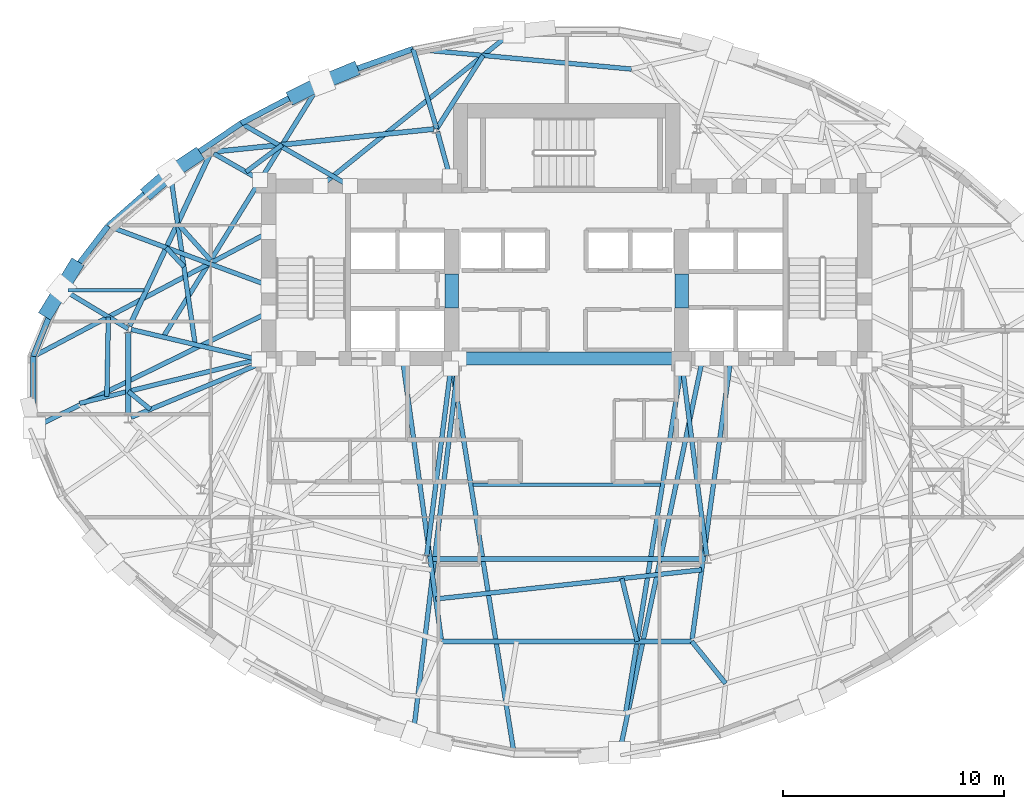
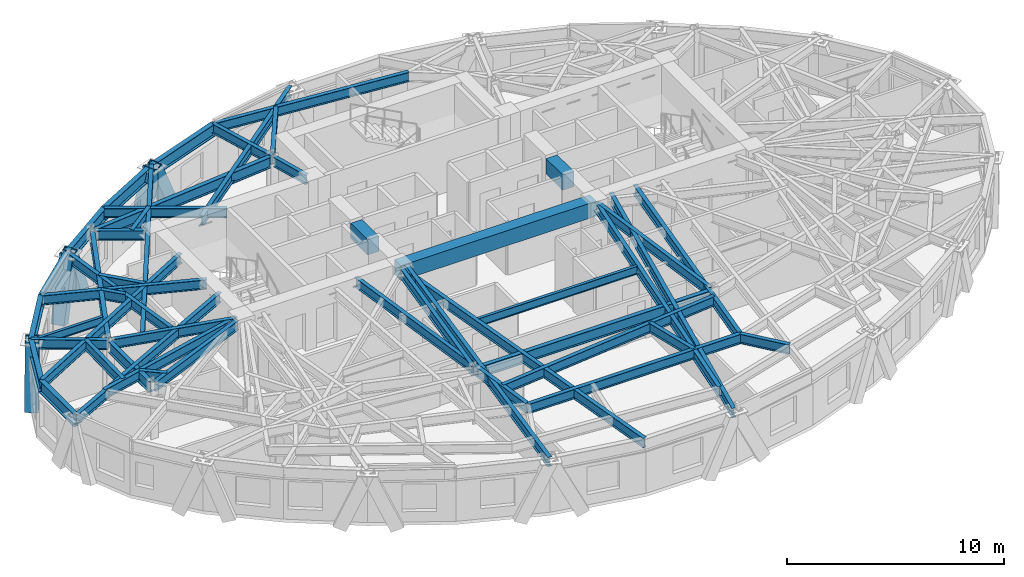
# One storey, part 2 of 14: 49 beams, 6 members.
"""IFC4 building model written with IfcOpenShell, lengths in metres."""

import ifcopenshell
import ifcopenshell.guid

model = None  # the IFC model being written
_history = None  # IfcOwnerHistory: only IFC2X3 demands one
_inside = {}  # id of a spatial element -> (the spatial element, [elements in it])
_under = {}  # id of a project, library or spatial element -> (it, [spatial elements below it])
_declared = {}  # id of a project -> (the project, [libraries it declares])
_typed = {}  # id of a type object -> (the type object, [elements of that type])
_made_of = {}  # id of a material, layer set ... -> (it, [elements and type objects made of it])


def new_model(schema):
    """Start an empty IFC model of exactly this schema.

    Asked for "IFC4X3", IfcOpenShell would pick the latest addendum, in which some entities
    have other attributes; the version numbers below select the first issue.
    IFC2X3 requires an IfcOwnerHistory on every rooted entity: one is made here for all.
    """
    global model, _history
    if schema == "IFC4X3":
        model = ifcopenshell.file(schema_version=(4, 3, 0, 0))
    else:
        model = ifcopenshell.file(schema=schema)
    _inside.clear()
    _under.clear()
    _declared.clear()
    _typed.clear()
    _made_of.clear()
    _history = None
    if model.schema == "IFC2X3":
        org = make("IfcOrganization", Name="unknown")
        user = make(
            "IfcPersonAndOrganization",
            ThePerson=make("IfcPerson", FamilyName="unknown"),
            TheOrganization=org,
        )
        app = make(
            "IfcApplication",
            ApplicationDeveloper=org,
            Version="unknown",
            ApplicationFullName="unknown",
            ApplicationIdentifier="unknown",
        )
        _history = make(
            "IfcOwnerHistory",
            OwningUser=user,
            OwningApplication=app,
            ChangeAction="ADDED",
            CreationDate=0,
        )
    return model


def make(cls, **values):
    """One entity of the class cls with the attributes given. An attribute that is None is left unset."""
    return model.create_entity(
        cls, **{name: value for name, value in values.items() if value is not None}
    )


def rooted(cls, **values):
    """An entity with a GlobalId (a new one), such as an element, a storey or a relation."""
    return make(cls, GlobalId=ifcopenshell.guid.new(), OwnerHistory=_history, **values)


def si_unit(unit_type, name, prefix=None):
    """IfcSIUnit, for example si_unit("LENGTHUNIT", "METRE", prefix="MILLI")."""
    return make("IfcSIUnit", UnitType=unit_type, Prefix=prefix, Name=name)


def assignment(units):
    """IfcUnitAssignment: the units of a project."""
    return None if units is None else make("IfcUnitAssignment", Units=units)


def point(xyz):
    """IfcCartesianPoint."""
    return None if xyz is None else make("IfcCartesianPoint", Coordinates=xyz)


def direction(xyz):
    """IfcDirection."""
    return None if xyz is None else make("IfcDirection", DirectionRatios=xyz)


def frame(location, z_axis=None, x_axis=None):
    """IfcAxis2Placement3D, a coordinate frame: its origin and axes. An axis left out is left unset."""
    return make(
        "IfcAxis2Placement3D",
        Location=point(location),
        Axis=direction(z_axis),
        RefDirection=direction(x_axis),
    )


def frame_2d(location, x_axis=None):
    """IfcAxis2Placement2D, a coordinate frame in the plane: its origin and x axis."""
    return make(
        "IfcAxis2Placement2D", Location=point(location), RefDirection=direction(x_axis)
    )


def origin():
    """The frame at (0, 0, 0) with its axes left unset."""
    return frame((0.0, 0.0, 0.0))


def origin_2d():
    """The frame at (0, 0) in the plane with its x axis left unset."""
    return frame_2d((0.0, 0.0))


def place(relative_to, where):
    """IfcLocalPlacement: puts the frame where relative to a parent placement (None: the world)."""
    return make(
        "IfcLocalPlacement", PlacementRelTo=relative_to, RelativePlacement=where
    )


def context(
    kind, dimensions, precision=None, world=None, true_north=None, identifier=None
):
    """IfcGeometricRepresentationContext, for example the 3D "Model" context."""
    return make(
        "IfcGeometricRepresentationContext",
        ContextIdentifier=identifier,
        ContextType=kind,
        CoordinateSpaceDimension=dimensions,
        Precision=precision,
        WorldCoordinateSystem=world,
        TrueNorth=true_north,
    )


def subcontext(parent, identifier, kind, view, scale=None):
    """IfcGeometricRepresentationSubContext, for example "Body" below "Model"."""
    return make(
        "IfcGeometricRepresentationSubContext",
        ContextIdentifier=identifier,
        ContextType=kind,
        ParentContext=parent,
        TargetScale=scale,
        TargetView=view,
    )


def project(units=None, contexts=None):
    """IfcProject with its units and contexts."""
    return rooted(
        "IfcProject",
        Name="project",
        RepresentationContexts=contexts,
        UnitsInContext=assignment(units),
    )


def spatial(cls, under=None, at=None, **own):
    """A site, building, storey or space (cls), placed at a placement, below another one or the project."""
    s = rooted(cls, ObjectPlacement=at, **own)
    if under is not None:
        _under.setdefault(under.id(), (under, []))[1].append(s)
    return s


def profile(cls, at=None, kind="AREA", **sizes):
    """A parametric profile (cls). Its sizes go by their IFC names, for example OverallWidth=200.0."""
    return make(cls, ProfileType=kind, Position=at, **sizes)


def rectangle(**sizes):
    """IfcRectangleProfileDef."""
    return profile("IfcRectangleProfileDef", **sizes)


def hollow_rectangle(**sizes):
    """IfcRectangleHollowProfileDef."""
    return profile("IfcRectangleHollowProfileDef", **sizes)


def i_section(**sizes):
    """IfcIShapeProfileDef."""
    return profile("IfcIShapeProfileDef", **sizes)


def extrude(swept, where, along, depth):
    """IfcExtrudedAreaSolid: the profile swept, set in the frame where, extruded along a direction by depth."""
    return make(
        "IfcExtrudedAreaSolid",
        SweptArea=swept,
        Position=where,
        ExtrudedDirection=direction(along),
        Depth=depth,
    )


def shape(context_of_items, identifier, shape_type, items):
    """IfcShapeRepresentation: the items that make up one representation, for example the "Body"."""
    return make(
        "IfcShapeRepresentation",
        ContextOfItems=context_of_items,
        RepresentationIdentifier=identifier,
        RepresentationType=shape_type,
        Items=items,
    )


def material(Name=None, Category=None):
    """IfcMaterial."""
    return make("IfcMaterial", Name=Name, Category=Category)


def material_profile(
    of_material, cross_section, Name=None, Category=None, Priority=None
):
    """IfcMaterialProfile: a cross section and its material."""
    return make(
        "IfcMaterialProfile",
        Name=Name,
        Material=of_material,
        Profile=cross_section,
        Priority=Priority,
        Category=Category,
    )


def profile_set(profiles, Name=None, composite=None):
    """IfcMaterialProfileSet."""
    return make(
        "IfcMaterialProfileSet",
        Name=Name,
        MaterialProfiles=profiles,
        CompositeProfile=composite,
    )


def made_of(thing, what):
    """Note that an element or type object is made of a material, layer set ...; save() writes the relation."""
    if what is not None:
        _made_of.setdefault(what.id(), (what, []))[1].append(thing)
    return thing


def type_object(cls, material=None, **own):
    """A type object (cls), such as IfcWallType, which elements share."""
    return made_of(rooted(cls, **own), material)


def element(
    cls,
    number,
    at=None,
    inside=None,
    cuts=None,
    type_object=None,
    material=None,
    context=None,
    identifier="Body",
    shape_type=None,
    held_by="IfcProductDefinitionShape",
    body=None,
    shapes=None,
    **own,
):
    """One element of the class cls, such as IfcWall. Its Tag is "e" and its number.

    at: its placement. inside: the storey or other place that contains it. cuts: it is an
    opening in that element (IfcRelVoidsElement). A single representation is given by context,
    identifier, shape_type and body (its items); several are given by shapes. held_by: the class
    of the entity that holds the representations. save() writes the other relations.
    """
    e = rooted(cls, Tag="e%d" % number, ObjectPlacement=at, **own)
    if body is not None:
        shapes = [shape(context, identifier, shape_type, body)]
    if shapes is not None:
        e.Representation = make(held_by, Representations=shapes)
    if inside is not None:
        _inside.setdefault(inside.id(), (inside, []))[1].append(e)
    if cuts is not None:
        rooted(
            "IfcRelVoidsElement", RelatingBuildingElement=cuts, RelatedOpeningElement=e
        )
    if type_object is not None:
        _typed.setdefault(type_object.id(), (type_object, []))[1].append(e)
    return made_of(e, material)


def aggregate(whole, parts):
    """IfcRelAggregates: a whole, such as a stair, and the parts it consists of."""
    return rooted("IfcRelAggregates", RelatingObject=whole, RelatedObjects=parts)


def save(model, path):
    """Write the relations noted so far, then the file.

    IfcRelAggregates (storeys below a building ...), IfcRelContainedInSpatialStructure (elements
    in a storey), IfcRelDefinesByType, IfcRelAssociatesMaterial and IfcRelDeclares: one each for
    every whole, place, type object, material and project.
    """
    for whole, parts in _under.values():
        aggregate(whole, parts)
    for where, things in _inside.values():
        rooted(
            "IfcRelContainedInSpatialStructure",
            RelatedElements=things,
            RelatingStructure=where,
        )
    for kind, things in _typed.values():
        rooted("IfcRelDefinesByType", RelatedObjects=things, RelatingType=kind)
    for what, things in _made_of.values():
        rooted("IfcRelAssociatesMaterial", RelatedObjects=things, RelatingMaterial=what)
    for by, libraries in _declared.values():
        rooted("IfcRelDeclares", RelatingContext=by, RelatedDefinitions=libraries)
    model.write(path)


model = new_model("IFC4")

# Units and contexts
model_context = context("Model", 3, precision=1e-05, world=origin(), true_north=direction((0.0, 1.0)))
body_context = subcontext(model_context, "Body", "Model", "MODEL_VIEW")
ifc_project = project(units=[si_unit("LENGTHUNIT", "METRE"), si_unit("AREAUNIT", "SQUARE_METRE"), si_unit("VOLUMEUNIT", "CUBIC_METRE"), si_unit("PLANEANGLEUNIT", "RADIAN"), si_unit("MASSUNIT", "GRAM", prefix="KILO")], contexts=[model_context])

# Site, building, storey
site_placement = place(None, origin())
site = spatial("IfcSite", under=ifc_project, at=site_placement, CompositionType="ELEMENT")
building_placement = place(site_placement, origin())
building = spatial("IfcBuilding", under=site, at=building_placement, Name="Keldmark Tower", CompositionType="ELEMENT")
storey_placement = place(building_placement, frame((0.0, 0.0, 191.800048828125)))
storey = spatial("IfcBuildingStorey", under=building, at=storey_placement, Name="L53", CompositionType="ELEMENT", Elevation=191.800048828125)

# Beams
ifc_material_1 = material(Name="Steel ASTM A992 Grade 50", Category="steel")
ifc_material_profile_1 = material_profile(ifc_material_1, i_section(OverallWidth=0.153076171875, OverallDepth=0.455078125, WebThickness=0.008056640625, FlangeThickness=0.01318359375, at=origin_2d()), Name="W18X40")
ifc_profile_set_1 = profile_set([ifc_material_profile_1], Name="Steel ASTM A992 Grade 50")
beam_type_1 = type_object("IfcBeamType", Name="Composite Floor Joist W18X40", PredefinedType="JOIST", material=ifc_profile_set_1)
beam_1_placement = place(storey_placement, frame((-4.237548828125, -4.179931640625, 2.79248046875), z_axis=(1.0, 0.0, 0.0), x_axis=(0.0, 1.0, 0.0)))
element("IfcBeam", 1, at=beam_1_placement, inside=storey, type_object=beam_type_1, Name="L53 Composite Floor Joist J02", PredefinedType="JOIST", context=body_context, shape_type="SweptSolid", body=[
    extrude(i_section(OverallWidth=0.153076171875, OverallDepth=0.455078125, WebThickness=0.008056640625, FlangeThickness=0.01318359375, at=origin_2d()), origin(), (0.0, 0.0, 1.0), 8.47216796875),
])
beam_2_placement = place(storey_placement, frame((-22.55712890625, 4.6201171875, 2.79248046875), z_axis=(1.0, 0.0, 0.0), x_axis=(0.0, 1.0, 0.0)))
element("IfcBeam", 2, at=beam_2_placement, inside=storey, type_object=beam_type_1, Name="L53 Composite Floor Joist J04", PredefinedType="JOIST", context=body_context, shape_type="SweptSolid", body=[
    extrude(i_section(OverallWidth=0.153076171875, OverallDepth=0.455078125, WebThickness=0.008056640625, FlangeThickness=0.01318359375, at=origin_2d()), origin(), (0.0, 0.0, 1.0), 3.4326171875),
])
ifc_material_2 = material(Name="Concrete C50/60", Category="concrete")
ifc_material_profile_2 = material_profile(ifc_material_2, rectangle(XDim=0.60009765625, YDim=0.85009765625, at=origin_2d()), Name="RCB600X850")
ifc_profile_set_2 = profile_set([ifc_material_profile_2], Name="Concrete C50/60")
beam_type_2 = type_object("IfcBeamType", Name="Core Coupling Beam RCB600X850", PredefinedType="USERDEFINED", material=ifc_profile_set_2)
for number, where, z_axis, x_axis, name in (
    (3, (-5.199951171875, 3.800048828125, 2.594970703125), (0.0, 1.0, 0.0), (-1.0, 0.0, 0.0), "L53 West Core Coupling Beam"),
    (4, (5.199951171875, 3.800048828125, 2.594970703125), (0.0, 1.0, 0.0), (-1.0, 0.0, 0.0), "L53 East Core Coupling Beam"),
):
    element("IfcBeam", number, at=place(storey_placement, frame(where, z_axis=z_axis, x_axis=x_axis)), inside=storey, type_object=beam_type_2, Name=name, ObjectType="COUPLING BEAM", PredefinedType="USERDEFINED", context=body_context, shape_type="SweptSolid", body=[
        extrude(rectangle(XDim=0.60009765625, YDim=0.85009765625, at=origin_2d()), origin(), (0.0, 0.0, 1.0), 1.550048828125),
    ])
beam_3_placement = place(storey_placement, frame((-5.199951171875, 1.52490234375, 2.594970703125), z_axis=(1.0, 0.0, 0.0), x_axis=(0.0, 1.0, 0.0)))
element("IfcBeam", 5, at=beam_3_placement, inside=storey, type_object=beam_type_2, Name="L53 Central South Core Coupling Beam", ObjectType="COUPLING BEAM", PredefinedType="USERDEFINED", context=body_context, shape_type="SweptSolid", body=[
    extrude(rectangle(XDim=0.60009765625, YDim=0.85009765625, at=origin_2d()), origin(), (0.0, 0.0, 1.0), 10.39990234375),
])

# Members
ifc_material_3 = material(Name="Steel ASTM A572 Grade 50", Category="steel")
ifc_material_profile_3 = material_profile(ifc_material_3, hollow_rectangle(XDim=0.64990234375, YDim=0.64990234375, WallThickness=0.0400390625, at=origin_2d()), Name="BOX650X650X40")
ifc_profile_set_3 = profile_set([ifc_material_profile_3], Name="Steel ASTM A572 Grade 50")
member_type = type_object("IfcMemberType", Name="Diagrid Zone 3 Brace BOX650X650X40", PredefinedType="BRACE", material=ifc_profile_set_3)
member_1_placement = place(storey_placement, frame((-9.72802734375, 14.557861328125, -0.260009765625), z_axis=(-0.385887663183, -0.15889078999, 0.908759829801), x_axis=(0.380741343147, -0.924681582827, 0.0)))
element("IfcMember", 6, at=member_1_placement, inside=storey, type_object=member_type, Name="L53 Perimeter Diagrid Brace 05B", PredefinedType="BRACE", context=body_context, shape_type="SweptSolid", body=[
    extrude(hollow_rectangle(XDim=0.64990234375, YDim=0.64990234375, WallThickness=0.0400390625, at=origin_2d()), origin(), (0.0, 0.0, 1.0), 3.47705078125),
])
member_2_placement = place(storey_placement, frame((-12.286865234375, 13.39892578125, -0.260009765625), z_axis=(0.356427318982, 0.177398603979, 0.91732725981), x_axis=(-0.445575094746, 0.895244567111, 0.0)))
element("IfcMember", 7, at=member_2_placement, inside=storey, type_object=member_type, Name="L53 Perimeter Diagrid Brace 06A", PredefinedType="BRACE", context=body_context, shape_type="SweptSolid", body=[
    extrude(hollow_rectangle(XDim=0.64990234375, YDim=0.64990234375, WallThickness=0.0400390625, at=origin_2d()), origin(), (0.0, 0.0, 1.0), 3.444580078125),
])
member_3_placement = place(storey_placement, frame((-16.81103515625, 10.650390625, -0.260009765625), z_axis=(-0.317686186172, -0.210100083996, 0.924626109203), x_axis=(0.5516232624, -0.834093385886, 0.0)))
element("IfcMember", 8, at=member_3_placement, inside=storey, type_object=member_type, Name="L53 Perimeter Diagrid Brace 06B", PredefinedType="BRACE", context=body_context, shape_type="SweptSolid", body=[
    extrude(hollow_rectangle(XDim=0.64990234375, YDim=0.64990234375, WallThickness=0.0400390625, at=origin_2d()), origin(), (0.0, 0.0, 1.0), 3.41748046875),
])
member_4_placement = place(storey_placement, frame((-18.834716796875, 9.12158203125, -0.260009765625), z_axis=(0.278423669972, 0.240998816501, 0.929731052748), x_axis=(-0.654462540029, 0.756094427766, 0.0)))
element("IfcMember", 9, at=member_4_placement, inside=storey, type_object=member_type, Name="L53 Perimeter Diagrid Brace 07A", PredefinedType="BRACE", context=body_context, shape_type="SweptSolid", body=[
    extrude(hollow_rectangle(XDim=0.64990234375, YDim=0.64990234375, WallThickness=0.0400390625, at=origin_2d()), origin(), (0.0, 0.0, 1.0), 3.398681640625),
])
member_5_placement = place(storey_placement, frame((-22.260009765625, 5.647216796875, -0.260009765625), z_axis=(-0.173956602908, -0.288108802809, 0.941664705747), x_axis=(0.856059030945, -0.516878066412, 0.0)))
element("IfcMember", 10, at=member_5_placement, inside=storey, type_object=member_type, Name="L53 Perimeter Diagrid Brace 07B", PredefinedType="BRACE", context=body_context, shape_type="SweptSolid", body=[
    extrude(hollow_rectangle(XDim=0.64990234375, YDim=0.64990234375, WallThickness=0.0400390625, at=origin_2d()), origin(), (0.0, 0.0, 1.0), 3.355712890625),
])
member_6_placement = place(storey_placement, frame((-23.452392578125, 3.688232421875, -0.260009765625), z_axis=(0.181897569863, 0.297538660258, 0.937221435804), x_axis=(-0.853194566061, 0.521592784119, 0.0)))
element("IfcMember", 11, at=member_6_placement, inside=storey, type_object=member_type, Name="L53 Perimeter Diagrid Brace 08A", PredefinedType="BRACE", context=body_context, shape_type="SweptSolid", body=[
    extrude(hollow_rectangle(XDim=0.64990234375, YDim=0.64990234375, WallThickness=0.0400390625, at=origin_2d()), origin(), (0.0, 0.0, 1.0), 3.37158203125),
])

# Beams
ifc_material_4 = material(Name="Steel ASTM A992 Grade 50", Category="steel")
ifc_material_profile_4 = material_profile(ifc_material_4, i_section(OverallWidth=0.22900390625, OverallDepth=0.612060546875, WebThickness=0.011962890625, FlangeThickness=0.01953125, at=origin_2d()), Name="W24X84")
ifc_profile_set_4 = profile_set([ifc_material_profile_4], Name="Steel ASTM A992 Grade 50")
beam_type_3 = type_object("IfcBeamType", Name="Primary Floor Girder W24X84", PredefinedType="BEAM", material=ifc_profile_set_4)
beam_4_placement = place(storey_placement, frame((-6.01953125, 11.90087890625, 2.7138671875), z_axis=(-0.994702930931, -0.102791435423, 0.0), x_axis=(0.102791435423, -0.994702930931, 0.0)))
element("IfcBeam", 12, at=beam_4_placement, inside=storey, type_object=beam_type_3, Name="L53 Floor Ring Girder FG-R04", PredefinedType="BEAM", context=body_context, shape_type="SweptSolid", body=[
    extrude(i_section(OverallWidth=0.22900390625, OverallDepth=0.612060546875, WebThickness=0.011962890625, FlangeThickness=0.01953125, at=origin_2d()), origin(), (0.0, 0.0, 1.0), 9.975341796875),
])
beam_5_placement = place(storey_placement, frame((-16.140869140625, 10.734130859375, 2.7138671875), z_axis=(-0.424526823774, -0.905415360979, 0.0), x_axis=(0.905415360979, -0.424526823774, 0.0)))
element("IfcBeam", 13, at=beam_5_placement, inside=storey, type_object=beam_type_3, Name="L53 Floor Ring Girder FG-R05", PredefinedType="BEAM", context=body_context, shape_type="SweptSolid", body=[
    extrude(i_section(OverallWidth=0.22900390625, OverallDepth=0.612060546875, WebThickness=0.011962890625, FlangeThickness=0.01953125, at=origin_2d()), origin(), (0.0, 0.0, 1.0), 8.54638671875),
])
beam_6_placement = place(storey_placement, frame((-19.828369140625, 2.729248046875, 2.7138671875), z_axis=(0.0, -1.0, 0.0), x_axis=(1.0, 0.0, 0.0)))
element("IfcBeam", 14, at=beam_6_placement, inside=storey, type_object=beam_type_3, Name="L53 Floor Ring Girder FG-R06", PredefinedType="BEAM", context=body_context, shape_type="SweptSolid", body=[
    extrude(i_section(OverallWidth=0.22900390625, OverallDepth=0.612060546875, WebThickness=0.011962890625, FlangeThickness=0.01953125, at=origin_2d()), origin(), (0.0, 0.0, 1.0), 3.778564453125),
])
beam_7_placement = place(storey_placement, frame((-6.211181640625, -7.546142578125, 2.7138671875), z_axis=(1.0, 0.0, 0.0), x_axis=(0.0, 1.0, 0.0)))
element("IfcBeam", 15, at=beam_7_placement, inside=storey, type_object=beam_type_3, Name="L53 Floor Ring Girder FG-R09", PredefinedType="BEAM", context=body_context, shape_type="SweptSolid", body=[
    extrude(i_section(OverallWidth=0.22900390625, OverallDepth=0.612060546875, WebThickness=0.011962890625, FlangeThickness=0.01953125, at=origin_2d()), origin(), (0.0, 0.0, 1.0), 12.42236328125),
])
ifc_material_5 = material(Name="Steel ASTM A992 Grade 50", Category="steel")
ifc_material_profile_5 = material_profile(ifc_material_5, i_section(OverallWidth=0.2099609375, OverallDepth=0.537109375, WebThickness=0.010986328125, FlangeThickness=0.017333984375, at=origin_2d()), Name="W21X68")
ifc_profile_set_5 = profile_set([ifc_material_profile_5], Name="Steel ASTM A992 Grade 50")
beam_type_4 = type_object("IfcBeamType", Name="Radial Tie Girder W21X68", PredefinedType="BEAM", material=ifc_profile_set_5)
beam_8_placement = place(storey_placement, frame((-5.843017578125, 11.7802734375, 2.75146484375), z_axis=(0.265992411, -0.963975122755, 0.0), x_axis=(0.963975122755, 0.265992411, 0.0)))
element("IfcBeam", 16, at=beam_8_placement, inside=storey, type_object=beam_type_4, Name="L53 Floor Radial Girder FG-C04", PredefinedType="BEAM", context=body_context, shape_type="SweptSolid", body=[
    extrude(i_section(OverallWidth=0.2099609375, OverallDepth=0.537109375, WebThickness=0.010986328125, FlangeThickness=0.017333984375, at=origin_2d()), origin(), (0.0, 0.0, 1.0), 2.09716796875),
])
beam_9_placement = place(storey_placement, frame((-15.959716796875, 10.791748046875, 2.75146484375), z_axis=(0.86929527307, -0.494293160197, 0.0), x_axis=(0.494293160197, 0.86929527307, 0.0)))
element("IfcBeam", 17, at=beam_9_placement, inside=storey, type_object=beam_type_4, Name="L53 Floor Radial Girder FG-C05", PredefinedType="BEAM", context=body_context, shape_type="SweptSolid", body=[
    extrude(i_section(OverallWidth=0.2099609375, OverallDepth=0.537109375, WebThickness=0.010986328125, FlangeThickness=0.017333984375, at=origin_2d()), origin(), (0.0, 0.0, 1.0), 2.39453125),
])
beam_10_placement = place(storey_placement, frame((-19.692138671875, 2.837158203125, 2.75146484375), z_axis=(0.973280062348, -0.229621253887, 0.0), x_axis=(0.229621253887, 0.973280062348, 0.0)))
element("IfcBeam", 18, at=beam_10_placement, inside=storey, type_object=beam_type_4, Name="L53 Floor Radial Girder FG-C06", PredefinedType="BEAM", context=body_context, shape_type="SweptSolid", body=[
    extrude(i_section(OverallWidth=0.2099609375, OverallDepth=0.537109375, WebThickness=0.010986328125, FlangeThickness=0.017333984375, at=origin_2d()), origin(), (0.0, 0.0, 1.0), 5.939208984375),
])
beam_11_placement = place(storey_placement, frame((-19.69921875, -1.135498046875, 2.75146484375), z_axis=(0.923393794893, 0.383854008124, 0.0), x_axis=(-0.383854008124, 0.923393794893, 0.0)))
element("IfcBeam", 19, at=beam_11_placement, inside=storey, type_object=beam_type_4, Name="L53 Floor Radial Girder FG-C07", PredefinedType="BEAM", context=body_context, shape_type="SweptSolid", body=[
    extrude(i_section(OverallWidth=0.2099609375, OverallDepth=0.537109375, WebThickness=0.010986328125, FlangeThickness=0.017333984375, at=origin_2d()), origin(), (0.0, 0.0, 1.0), 6.28515625),
])
for number, where, z_axis, x_axis, name in (
    (20, (-6.333251953125, -7.4072265625, 2.75146484375), (0.127635577416, 0.991821132754, 0.0), (-0.991821132754, 0.127635577416, 0.0), "L53 Floor Radial Girder FG-C09"),
    (21, (6.333251953125, -7.4072265625, 2.75146484375), (-0.127635577416, 0.991821132754, 0.0), (-0.991821132754, -0.127635577416, 0.0), "L53 Floor Radial Girder FG-C10"),
):
    element("IfcBeam", number, at=place(storey_placement, frame(where, z_axis=z_axis, x_axis=x_axis)), inside=storey, type_object=beam_type_4, Name=name, PredefinedType="BEAM", context=body_context, shape_type="SweptSolid", body=[
        extrude(i_section(OverallWidth=0.2099609375, OverallDepth=0.537109375, WebThickness=0.010986328125, FlangeThickness=0.017333984375, at=origin_2d()), origin(), (0.0, 0.0, 1.0), 8.559814453125),
    ])
beam_12_placement = place(storey_placement, frame((-18.82861328125, -0.773681640625, 2.75146484375), z_axis=(-0.77576040379, 0.631027571435, 0.0), x_axis=(-0.631027571435, -0.77576040379, 0.0)))
element("IfcBeam", 22, at=beam_12_placement, inside=storey, type_object=beam_type_4, Name="L53 Framing Pin Header PH-001", PredefinedType="BEAM", context=body_context, shape_type="SweptSolid", body=[
    extrude(i_section(OverallWidth=0.2099609375, OverallDepth=0.537109375, WebThickness=0.010986328125, FlangeThickness=0.017333984375, at=origin_2d()), origin(), (0.0, 0.0, 1.0), 1.288818359375),
])
beam_13_placement = place(storey_placement, frame((-13.800048828125, 1.52490234375, 2.75146484375), z_axis=(-0.970958792884, -0.239246781632, 0.0), x_axis=(0.239246781632, -0.970958792884, 0.0)))
element("IfcBeam", 23, at=beam_13_placement, inside=storey, type_object=beam_type_4, Name="L53 Sub-Ring Step Girder STP1-M07", PredefinedType="BEAM", context=body_context, shape_type="SweptSolid", body=[
    extrude(i_section(OverallWidth=0.2099609375, OverallDepth=0.537109375, WebThickness=0.010986328125, FlangeThickness=0.017333984375, at=origin_2d()), origin(), (0.0, 0.0, 1.0), 8.474853515625),
])
beam_14_placement = place(storey_placement, frame((-7.425048828125, 1.52490234375, 2.75146484375), z_axis=(0.136776176407, -0.990601977369, 0.0), x_axis=(0.990601977369, 0.136776176407, 0.0)))
element("IfcBeam", 24, at=beam_14_placement, inside=storey, type_object=beam_type_4, Name="L53 Sub-Ring Step Girder STP1-M09", PredefinedType="BEAM", context=body_context, shape_type="SweptSolid", body=[
    extrude(i_section(OverallWidth=0.2099609375, OverallDepth=0.537109375, WebThickness=0.010986328125, FlangeThickness=0.017333984375, at=origin_2d()), origin(), (0.0, 0.0, 1.0), 12.917724609375),
])
beam_15_placement = place(storey_placement, frame((-5.923095703125, -9.351806640625, 2.75146484375), z_axis=(0.994019038127, 0.109206922131, 0.0), x_axis=(-0.109206922131, 0.994019038127, 0.0)))
element("IfcBeam", 25, at=beam_15_placement, inside=storey, type_object=beam_type_4, Name="L53 Framing Pin Header PH-004", PredefinedType="BEAM", context=body_context, shape_type="SweptSolid", body=[
    extrude(i_section(OverallWidth=0.2099609375, OverallDepth=0.537109375, WebThickness=0.010986328125, FlangeThickness=0.017333984375, at=origin_2d()), origin(), (0.0, 0.0, 1.0), 12.10107421875),
])
beam_16_placement = place(storey_placement, frame((7.425048828125, 1.52490234375, 2.75146484375), z_axis=(-0.136776176407, -0.990601977369, 0.0), x_axis=(0.990601977369, -0.136776176407, 0.0)))
element("IfcBeam", 26, at=beam_16_placement, inside=storey, type_object=beam_type_4, Name="L53 Sub-Ring Step Girder STP1-M10", PredefinedType="BEAM", context=body_context, shape_type="SweptSolid", body=[
    extrude(i_section(OverallWidth=0.2099609375, OverallDepth=0.537109375, WebThickness=0.010986328125, FlangeThickness=0.017333984375, at=origin_2d()), origin(), (0.0, 0.0, 1.0), 12.917724609375),
])
beam_17_placement = place(storey_placement, frame((-5.658203125, -11.271484375, 2.75146484375), z_axis=(1.0, 0.0, 0.0), x_axis=(0.0, 1.0, 0.0)))
element("IfcBeam", 27, at=beam_17_placement, inside=storey, type_object=beam_type_4, Name="L53 Perimeter Collector Ring Beam CRG1-M09", PredefinedType="BEAM", context=body_context, shape_type="SweptSolid", body=[
    extrude(i_section(OverallWidth=0.2099609375, OverallDepth=0.537109375, WebThickness=0.010986328125, FlangeThickness=0.017333984375, at=origin_2d()), origin(), (0.0, 0.0, 1.0), 11.31640625),
])
beam_18_placement = place(storey_placement, frame((2.4970703125, -8.4267578125, 2.75146484375), z_axis=(0.236015328708, -0.971749332192, 0.0), x_axis=(0.971749332192, 0.236015328708, 0.0)))
element("IfcBeam", 28, at=beam_18_placement, inside=storey, type_object=beam_type_4, Name="L53 Framing Pin Header PH-009", PredefinedType="BEAM", context=body_context, shape_type="SweptSolid", body=[
    extrude(i_section(OverallWidth=0.2099609375, OverallDepth=0.537109375, WebThickness=0.010986328125, FlangeThickness=0.017333984375, at=origin_2d()), origin(), (0.0, 0.0, 1.0), 2.927490234375),
])
beam_19_placement = place(storey_placement, frame((5.199951171875, 1.199951171875, 2.75146484375), z_axis=(-0.159272927246, -0.98723458947, 0.0), x_axis=(0.98723458947, -0.159272927246, 0.0)))
element("IfcBeam", 29, at=beam_19_placement, inside=storey, type_object=beam_type_4, Name="L53 Sub-Ring Step Girder STP2-M10", PredefinedType="BEAM", context=body_context, shape_type="SweptSolid", body=[
    extrude(i_section(OverallWidth=0.2099609375, OverallDepth=0.537109375, WebThickness=0.010986328125, FlangeThickness=0.017333984375, at=origin_2d()), origin(), (0.0, 0.0, 1.0), 15.9248046875),
])
beam_20_placement = place(storey_placement, frame((-5.880126953125, 11.915283203125, 2.75146484375), z_axis=(-0.283230826763, 0.959051770642, 0.0), x_axis=(-0.959051770642, -0.283230826763, 0.0)))
element("IfcBeam", 30, at=beam_20_placement, inside=storey, type_object=beam_type_4, Name="L53 Perimeter Column Bracket RT-10", PredefinedType="BEAM", context=body_context, shape_type="SweptSolid", body=[
    extrude(i_section(OverallWidth=0.2099609375, OverallDepth=0.537109375, WebThickness=0.010986328125, FlangeThickness=0.017333984375, at=origin_2d()), origin(), (0.0, 0.0, 1.0), 3.76171875),
])
beam_21_placement = place(storey_placement, frame((-14.502685546875, 9.96337890625, 2.75146484375), z_axis=(0.799842743579, 0.600209618004, 0.0), x_axis=(-0.600209618004, 0.799842743579, 0.0)))
element("IfcBeam", 31, at=beam_21_placement, inside=storey, type_object=beam_type_4, Name="L53 Framing Pin Header PH-017", PredefinedType="BEAM", context=body_context, shape_type="SweptSolid", body=[
    extrude(i_section(OverallWidth=0.2099609375, OverallDepth=0.537109375, WebThickness=0.010986328125, FlangeThickness=0.017333984375, at=origin_2d()), origin(), (0.0, 0.0, 1.0), 2.049560546875),
])
beam_22_placement = place(storey_placement, frame((-18.246826171875, 2.49609375, 2.75146484375), z_axis=(0.52630765634, 0.850294214303, 0.0), x_axis=(-0.850294214303, 0.52630765634, 0.0)))
element("IfcBeam", 32, at=beam_22_placement, inside=storey, type_object=beam_type_4, Name="L53 Perimeter Radial Tie Girder RT-11", PredefinedType="BEAM", context=body_context, shape_type="SweptSolid", body=[
    extrude(i_section(OverallWidth=0.2099609375, OverallDepth=0.537109375, WebThickness=0.010986328125, FlangeThickness=0.017333984375, at=origin_2d()), origin(), (0.0, 0.0, 1.0), 13.60302734375),
])
beam_23_placement = place(storey_placement, frame((-9.8037109375, 9.324951171875, 2.75146484375), z_axis=(-0.86629015843, 0.499541150865, 0.0), x_axis=(-0.499541150865, -0.86629015843, 0.0)))
element("IfcBeam", 33, at=beam_23_placement, inside=storey, type_object=beam_type_4, Name="L53 Perimeter Radial Tie Girder RT-12", PredefinedType="BEAM", context=body_context, shape_type="SweptSolid", body=[
    extrude(i_section(OverallWidth=0.2099609375, OverallDepth=0.537109375, WebThickness=0.010986328125, FlangeThickness=0.017333984375, at=origin_2d()), origin(), (0.0, 0.0, 1.0), 5.673583984375),
])
beam_24_placement = place(storey_placement, frame((-16.09912109375, 5.96630859375, 2.75146484375), z_axis=(-0.668090883831, 0.744079680506, 0.0), x_axis=(-0.744079680506, -0.668090883831, 0.0)))
element("IfcBeam", 34, at=beam_24_placement, inside=storey, type_object=beam_type_4, Name="L53 Framing Pin Header PH-018", PredefinedType="BEAM", context=body_context, shape_type="SweptSolid", body=[
    extrude(i_section(OverallWidth=0.2099609375, OverallDepth=0.537109375, WebThickness=0.010986328125, FlangeThickness=0.017333984375, at=origin_2d()), origin(), (0.0, 0.0, 1.0), 2.2392578125),
])
beam_25_placement = place(storey_placement, frame((-16.8017578125, 2.1552734375, 2.75146484375), z_axis=(-0.143332188558, 0.989674635283, 0.0), x_axis=(-0.989674635283, -0.143332188558, 0.0)))
element("IfcBeam", 35, at=beam_25_placement, inside=storey, type_object=beam_type_4, Name="L53 Perimeter Radial Tie Girder RT-13", PredefinedType="BEAM", context=body_context, shape_type="SweptSolid", body=[
    extrude(i_section(OverallWidth=0.2099609375, OverallDepth=0.537109375, WebThickness=0.010986328125, FlangeThickness=0.017333984375, at=origin_2d()), origin(), (0.0, 0.0, 1.0), 7.905029296875),
])
beam_26_placement = place(storey_placement, frame((-17.311767578125, 5.67578125, 2.75146484375), z_axis=(-0.677727303937, 0.735313335591, 0.0), x_axis=(-0.735313335591, -0.677727303937, 0.0)))
element("IfcBeam", 36, at=beam_26_placement, inside=storey, type_object=beam_type_4, Name="L53 Framing Pin Header PH-019", PredefinedType="BEAM", context=body_context, shape_type="SweptSolid", body=[
    extrude(i_section(OverallWidth=0.2099609375, OverallDepth=0.537109375, WebThickness=0.010986328125, FlangeThickness=0.017333984375, at=origin_2d()), origin(), (0.0, 0.0, 1.0), 1.17431640625),
])
beam_27_placement = place(storey_placement, frame((-13.47509765625, 4.8212890625, 2.75146484375), z_axis=(-0.937600504233, 0.347714386332, 0.0), x_axis=(-0.347714386332, -0.937600504233, 0.0)))
element("IfcBeam", 37, at=beam_27_placement, inside=storey, type_object=beam_type_4, Name="L53 Perimeter Radial Tie Girder RT-14", PredefinedType="BEAM", context=body_context, shape_type="SweptSolid", body=[
    extrude(i_section(OverallWidth=0.2099609375, OverallDepth=0.537109375, WebThickness=0.010986328125, FlangeThickness=0.017333984375, at=origin_2d()), origin(), (0.0, 0.0, 1.0), 7.75146484375),
])
beam_28_placement = place(storey_placement, frame((-19.828369140625, 2.869140625, 2.75146484375), z_axis=(-0.857649450722, 0.514234790418, 0.0), x_axis=(-0.514234790418, -0.857649450722, 0.0)))
element("IfcBeam", 38, at=beam_28_placement, inside=storey, type_object=beam_type_4, Name="L53 Perimeter Column Bracket RT-15", PredefinedType="BEAM", context=body_context, shape_type="SweptSolid", body=[
    extrude(i_section(OverallWidth=0.2099609375, OverallDepth=0.537109375, WebThickness=0.010986328125, FlangeThickness=0.017333984375, at=origin_2d()), origin(), (0.0, 0.0, 1.0), 3.577392578125),
])
beam_29_placement = place(storey_placement, frame((-20.794677734375, -0.198486328125, 2.75146484375), z_axis=(0.018953940435, 0.999820357935, 0.0), x_axis=(-0.999820357935, 0.018953940435, 0.0)))
element("IfcBeam", 39, at=beam_29_placement, inside=storey, type_object=beam_type_4, Name="L53 Framing Pin Header PH-020", PredefinedType="BEAM", context=body_context, shape_type="SweptSolid", body=[
    extrude(i_section(OverallWidth=0.2099609375, OverallDepth=0.537109375, WebThickness=0.010986328125, FlangeThickness=0.017333984375, at=origin_2d()), origin(), (0.0, 0.0, 1.0), 3.606689453125),
])
beam_30_placement = place(storey_placement, frame((-13.47509765625, 7.235595703125, 2.75146484375), z_axis=(-0.884327583278, -0.46686692478, 0.0), x_axis=(0.46686692478, -0.884327583278, 0.0)))
element("IfcBeam", 40, at=beam_30_placement, inside=storey, type_object=beam_type_4, Name="L53 Perimeter Radial Tie Girder RT-16", PredefinedType="BEAM", context=body_context, shape_type="SweptSolid", body=[
    extrude(i_section(OverallWidth=0.2099609375, OverallDepth=0.537109375, WebThickness=0.010986328125, FlangeThickness=0.017333984375, at=origin_2d()), origin(), (0.0, 0.0, 1.0), 12.04736328125),
])
beam_31_placement = place(storey_placement, frame((-13.47509765625, 3.6142578125, 2.75146484375), z_axis=(-0.897824557879, -0.440353339115, 0.0), x_axis=(0.440353339115, -0.897824557879, 0.0)))
element("IfcBeam", 41, at=beam_31_placement, inside=storey, type_object=beam_type_4, Name="L53 Perimeter Radial Tie Girder RT-17", PredefinedType="BEAM", context=body_context, shape_type="SweptSolid", body=[
    extrude(i_section(OverallWidth=0.2099609375, OverallDepth=0.537109375, WebThickness=0.010986328125, FlangeThickness=0.017333984375, at=origin_2d()), origin(), (0.0, 0.0, 1.0), 11.8662109375),
])
beam_32_placement = place(storey_placement, frame((-4.875, 1.52490234375, 2.75146484375), z_axis=(-0.120569543939, -0.992704883172, 0.0), x_axis=(0.992704883172, -0.120569543939, 0.0)))
element("IfcBeam", 42, at=beam_32_placement, inside=storey, type_object=beam_type_4, Name="L53 Perimeter Radial Tie Girder RT-23", PredefinedType="BEAM", context=body_context, shape_type="SweptSolid", body=[
    extrude(i_section(OverallWidth=0.2099609375, OverallDepth=0.537109375, WebThickness=0.010986328125, FlangeThickness=0.017333984375, at=origin_2d()), origin(), (0.0, 0.0, 1.0), 17.173095703125),
])
beam_33_placement = place(storey_placement, frame((-5.199951171875, 1.199951171875, 2.75146484375), z_axis=(0.15876627594, -0.987316195362, 0.0), x_axis=(0.987316195362, 0.15876627594, 0.0)))
element("IfcBeam", 43, at=beam_33_placement, inside=storey, type_object=beam_type_4, Name="L53 Perimeter Radial Tie Girder RT-24", PredefinedType="BEAM", context=body_context, shape_type="SweptSolid", body=[
    extrude(i_section(OverallWidth=0.2099609375, OverallDepth=0.537109375, WebThickness=0.010986328125, FlangeThickness=0.017333984375, at=origin_2d()), origin(), (0.0, 0.0, 1.0), 17.783935546875),
])
beam_34_placement = place(storey_placement, frame((6.14990234375, 1.52490234375, 2.75146484375), z_axis=(-0.20645746603, -0.978455576263, 0.0), x_axis=(0.978455576263, -0.20645746603, 0.0)))
element("IfcBeam", 44, at=beam_34_placement, inside=storey, type_object=beam_type_4, Name="L53 Perimeter Radial Tie Girder RT-25", PredefinedType="BEAM", context=body_context, shape_type="SweptSolid", body=[
    extrude(i_section(OverallWidth=0.2099609375, OverallDepth=0.537109375, WebThickness=0.010986328125, FlangeThickness=0.017333984375, at=origin_2d()), origin(), (0.0, 0.0, 1.0), 18.277099609375),
])
beam_35_placement = place(storey_placement, frame((5.658203125, -11.271484375, 2.75146484375), z_axis=(0.626987181978, -0.779029571733, 0.0), x_axis=(0.779029571733, 0.626987181978, 0.0)))
element("IfcBeam", 45, at=beam_35_placement, inside=storey, type_object=beam_type_4, Name="L53 Framing Pin Header PH-028", PredefinedType="BEAM", context=body_context, shape_type="SweptSolid", body=[
    extrude(i_section(OverallWidth=0.2099609375, OverallDepth=0.537109375, WebThickness=0.010986328125, FlangeThickness=0.017333984375, at=origin_2d()), origin(), (0.0, 0.0, 1.0), 2.439208984375),
])
beam_36_placement = place(storey_placement, frame((2.926513671875, 14.6142578125, 2.75146484375), z_axis=(-0.995790433981, 0.091659214444, 0.0), x_axis=(-0.091659214444, -0.995790433981, 0.0)))
element("IfcBeam", 46, at=beam_36_placement, inside=storey, type_object=beam_type_4, Name="L53 Straddling Support Chord RT-09RB", PredefinedType="BEAM", context=body_context, shape_type="SweptSolid", body=[
    extrude(i_section(OverallWidth=0.2099609375, OverallDepth=0.537109375, WebThickness=0.010986328125, FlangeThickness=0.017333984375, at=origin_2d()), origin(), (0.0, 0.0, 1.0), 9.913818359375),
])
beam_37_placement = place(storey_placement, frame((-5.880126953125, 11.915283203125, 2.75146484375), z_axis=(0.535071316891, 0.844806892633, 0.0), x_axis=(-0.844806892633, 0.535071316891, 0.0)))
element("IfcBeam", 47, at=beam_37_placement, inside=storey, type_object=beam_type_4, Name="L53 Framing Pin Header PH-035", PredefinedType="BEAM", context=body_context, shape_type="SweptSolid", body=[
    extrude(i_section(OverallWidth=0.2099609375, OverallDepth=0.537109375, WebThickness=0.010986328125, FlangeThickness=0.017333984375, at=origin_2d()), origin(), (0.0, 0.0, 1.0), 3.92529296875),
])
beam_38_placement = place(storey_placement, frame((-11.1357421875, 9.324951171875, 2.75146484375), z_axis=(0.779737414436, 0.626106671845, 0.0), x_axis=(-0.626106671845, 0.779737414436, 0.0)))
element("IfcBeam", 48, at=beam_38_placement, inside=storey, type_object=beam_type_4, Name="L53 Perimeter Radial Tie Girder RT-09R", PredefinedType="BEAM", context=body_context, shape_type="SweptSolid", body=[
    extrude(i_section(OverallWidth=0.2099609375, OverallDepth=0.537109375, WebThickness=0.010986328125, FlangeThickness=0.017333984375, at=origin_2d()), origin(), (0.0, 0.0, 1.0), 11.233642578125),
])
ifc_material_6 = material(Name="Steel ASTM A992 Grade 50", Category="steel")
ifc_material_profile_6 = material_profile(ifc_material_6, i_section(OverallWidth=0.256103515625, OverallDepth=0.693115234375, WebThickness=0.014404296875, FlangeThickness=0.023681640625, at=origin_2d()), Name="W27X114")
ifc_profile_set_6 = profile_set([ifc_material_profile_6], Name="Steel ASTM A992 Grade 50")
beam_type_5 = type_object("IfcBeamType", Name="Spandrel Ring Beam W27X114", PredefinedType="SPANDREL", material=ifc_profile_set_6)
beam_39_placement = place(storey_placement, frame((-6.945556640625, 15.52294921875, 2.67333984375), z_axis=(-0.943106248319, -0.332491510239, 0.0), x_axis=(0.332491510239, -0.943106248319, 0.0)))
element("IfcBeam", 49, at=beam_39_placement, inside=storey, type_object=beam_type_5, Name="L53 Perimeter Spandrel Ring Beam SRB-10", PredefinedType="SPANDREL", context=body_context, shape_type="SweptSolid", body=[
    extrude(i_section(OverallWidth=0.256103515625, OverallDepth=0.693115234375, WebThickness=0.014404296875, FlangeThickness=0.023681640625, at=origin_2d()), origin(), (0.0, 0.0, 1.0), 4.3916015625),
])
beam_40_placement = place(storey_placement, frame((-11.08740234375, 14.062744140625, 2.67333984375), z_axis=(-0.885688137447, -0.464280651316, 0.0), x_axis=(0.464280651316, -0.885688137447, 0.0)))
element("IfcBeam", 50, at=beam_40_placement, inside=storey, type_object=beam_type_5, Name="L53 Perimeter Spandrel Ring Beam SRB-11", PredefinedType="SPANDREL", context=body_context, shape_type="SweptSolid", body=[
    extrude(i_section(OverallWidth=0.256103515625, OverallDepth=0.693115234375, WebThickness=0.014404296875, FlangeThickness=0.023681640625, at=origin_2d()), origin(), (0.0, 0.0, 1.0), 4.10009765625),
])
beam_41_placement = place(storey_placement, frame((-14.71875, 12.1591796875, 2.67333984375), z_axis=(-0.827704046296, -0.561164870377, 0.0), x_axis=(0.561164870377, -0.827704046296, 0.0)))
element("IfcBeam", 51, at=beam_41_placement, inside=storey, type_object=beam_type_5, Name="L53 Perimeter Spandrel Ring Beam SRB-12", PredefinedType="SPANDREL", context=body_context, shape_type="SweptSolid", body=[
    extrude(i_section(OverallWidth=0.256103515625, OverallDepth=0.693115234375, WebThickness=0.014404296875, FlangeThickness=0.023681640625, at=origin_2d()), origin(), (0.0, 0.0, 1.0), 3.885498046875),
])
beam_42_placement = place(storey_placement, frame((-17.934814453125, 9.978759765625, 2.67333984375), z_axis=(-0.751904074321, -0.659272525607, 0.0), x_axis=(0.659272525607, -0.751904074321, 0.0)))
element("IfcBeam", 52, at=beam_42_placement, inside=storey, type_object=beam_type_5, Name="L53 Perimeter Spandrel Ring Beam SRB-13", PredefinedType="SPANDREL", context=body_context, shape_type="SweptSolid", body=[
    extrude(i_section(OverallWidth=0.256103515625, OverallDepth=0.693115234375, WebThickness=0.014404296875, FlangeThickness=0.023681640625, at=origin_2d()), origin(), (0.0, 0.0, 1.0), 3.734619140625),
])
beam_43_placement = place(storey_placement, frame((-20.742919921875, 7.5166015625, 2.67333984375), z_axis=(-0.608586512644, -0.793487527708, 0.0), x_axis=(0.793487527708, -0.608586512644, 0.0)))
element("IfcBeam", 53, at=beam_43_placement, inside=storey, type_object=beam_type_5, Name="L53 Perimeter Spandrel Ring Beam SRB-14", PredefinedType="SPANDREL", context=body_context, shape_type="SweptSolid", body=[
    extrude(i_section(OverallWidth=0.256103515625, OverallDepth=0.693115234375, WebThickness=0.014404296875, FlangeThickness=0.023681640625, at=origin_2d()), origin(), (0.0, 0.0, 1.0), 3.53857421875),
])
beam_44_placement = place(storey_placement, frame((-22.896484375, 4.708740234375, 2.67333984375), z_axis=(-0.369672887509, -0.929161964483, 0.0), x_axis=(0.929161964483, -0.369672887509, 0.0)))
element("IfcBeam", 54, at=beam_44_placement, inside=storey, type_object=beam_type_5, Name="L53 Perimeter Spandrel Ring Beam SRB-15", PredefinedType="SPANDREL", context=body_context, shape_type="SweptSolid", body=[
    extrude(i_section(OverallWidth=0.256103515625, OverallDepth=0.693115234375, WebThickness=0.014404296875, FlangeThickness=0.023681640625, at=origin_2d()), origin(), (0.0, 0.0, 1.0), 3.333740234375),
])
beam_45_placement = place(storey_placement, frame((-24.12890625, 1.611083984375, 2.67333984375), z_axis=(0.0, -1.0, 0.0), x_axis=(1.0, 0.0, 0.0)))
element("IfcBeam", 55, at=beam_45_placement, inside=storey, type_object=beam_type_5, Name="L53 Perimeter Spandrel Ring Beam SRB-16", PredefinedType="SPANDREL", context=body_context, shape_type="SweptSolid", body=[
    extrude(i_section(OverallWidth=0.256103515625, OverallDepth=0.693115234375, WebThickness=0.014404296875, FlangeThickness=0.023681640625, at=origin_2d()), origin(), (0.0, 0.0, 1.0), 3.22216796875),
])

save(model, "model.ifc")
